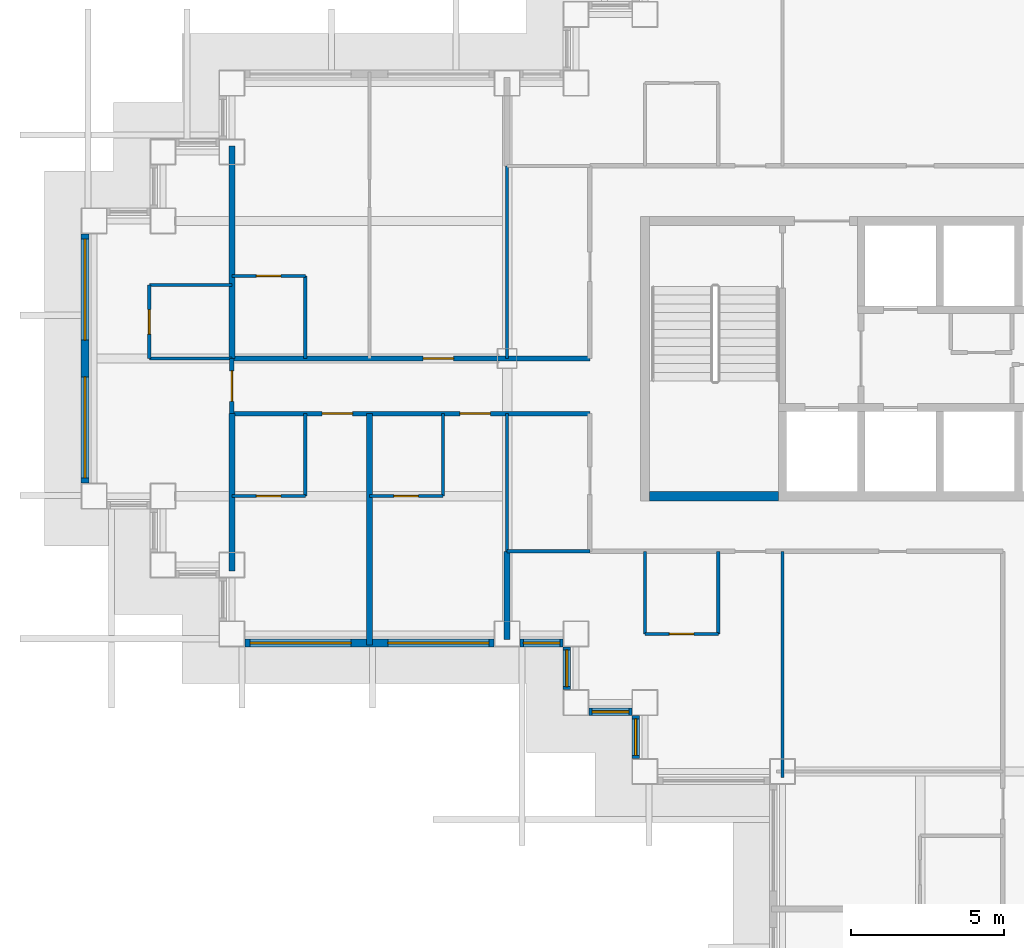
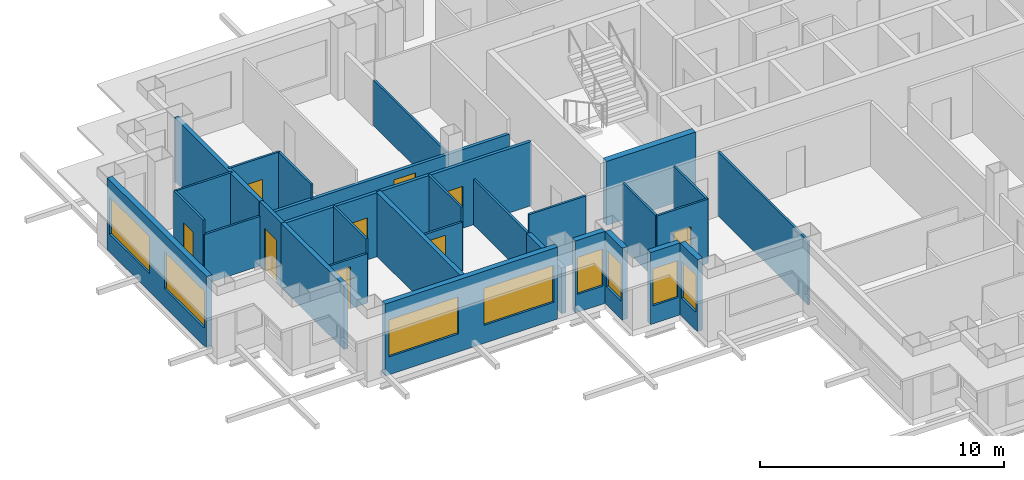
# One storey, part 5 of 17: 30 walls, 9 doors, 8 windows, 17 openings.
"""IFC4 building model written with IfcOpenShell, lengths in metres."""

from ifc_helpers import new_model, si_unit, direction, frame, frame_2d, origin, place, context, subcontext, project, spatial, rectangle, extrude, material, layer, layer_set, type_object, element, fill, save


model = new_model("IFC4")

# Units and contexts
model_context = context("Model", 3, precision=1e-05, world=origin(), true_north=direction((0.0, 1.0)))
body_context = subcontext(model_context, "Body", "Model", "MODEL_VIEW")
ifc_project = project(units=[si_unit("LENGTHUNIT", "METRE"), si_unit("AREAUNIT", "SQUARE_METRE"), si_unit("VOLUMEUNIT", "CUBIC_METRE"), si_unit("PLANEANGLEUNIT", "RADIAN"), si_unit("MASSUNIT", "GRAM", prefix="KILO")], contexts=[model_context])

# Site, building, storey
site_placement = place(None, origin())
site = spatial("IfcSite", under=ifc_project, at=site_placement, CompositionType="ELEMENT")
building_placement = place(site_placement, origin())
building = spatial("IfcBuilding", under=site, at=building_placement, Name="Caravel Reach Hotel and Residences", CompositionType="ELEMENT")
storey_placement = place(building_placement, frame((0.0, 0.0, 136.800048828125)))
storey = spatial("IfcBuildingStorey", under=building, at=storey_placement, Name="L34", CompositionType="ELEMENT", Elevation=136.800048828125)

# Wall, opening, door
ifc_material_1 = material(Name="Gypsum board on steel stud", Category="steel")
ifc_layer_1 = layer(ifc_material_1, 0.10009765625)
ifc_layer_set_1 = layer_set([ifc_layer_1], Name="Bathroom pod wall 100 mm")
wall_type_1 = type_object("IfcWallType", Name="Bathroom pod wall 100 mm", PredefinedType="PARTITIONING", material=ifc_layer_set_1)
wall_1_placement = place(storey_placement, frame((18.0, 18.0, 0.0), z_axis=(0.0, 0.0, 1.0), x_axis=(1.0, 0.0, 0.0)))
wall_1 = element("IfcWall", 1, at=wall_1_placement, inside=storey, type_object=wall_type_1, Name="L34 wall w083", PredefinedType="PARTITIONING", context=body_context, shape_type="SweptSolid", body=[
    extrude(rectangle(XDim=2.39990234375, YDim=0.10009765625, at=frame_2d((1.199951171875, 0.0))), origin(), (0.0, 0.0, 1.0), 3.199951171875),
])
opening_1_placement = place(wall_1_placement, frame((0.800048828125, 0.0, 0.0)))
opening_1 = element("IfcOpeningElement", 2, at=opening_1_placement, cuts=wall_1, Name="Opening D34-053", PredefinedType="OPENING", context=body_context, shape_type="SweptSolid", body=[
    extrude(rectangle(XDim=0.800048828125, YDim=2.10009765625, at=frame_2d((0.39990234375, 1.050048828125))), frame((0.0, 0.06005859375, 0.0), z_axis=(0.0, -1.0, 0.0), x_axis=(1.0, 0.0, 0.0)), (0.0, 0.0, 1.0), 0.1201171875),
])
ifc_material_2 = material(Name="Timber and steel door leaf", Category="steel")
door_type_1 = type_object("IfcDoorType", Name="Bathroom door 800 x 2100", OperationType="SINGLE_SWING_LEFT", PredefinedType="DOOR", material=ifc_material_2)
door_1_placement = place(opening_1_placement, origin())
door_1 = element("IfcDoor", 3, at=door_1_placement, inside=storey, type_object=door_type_1, Name="door D34-053", OperationType="SINGLE_SWING_RIGHT", OverallHeight=2.10009765625, OverallWidth=0.800048828125, PredefinedType="DOOR", context=body_context, shape_type="SweptSolid", body=[
    extrude(rectangle(XDim=0.800048828125, YDim=2.10009765625, at=frame_2d((0.39990234375, 1.050048828125))), frame((0.0, 0.02490234375, 0.0), z_axis=(0.0, -1.0, 0.0), x_axis=(1.0, 0.0, 0.0)), (0.0, 0.0, 1.0), 0.050048828125),
])
fill(opening_1, door_1)

wall_2_placement = place(storey_placement, frame((9.0, 22.5, 0.0), z_axis=(0.0, 0.0, 1.0), x_axis=(1.0, 0.0, 0.0)))
wall_2 = element("IfcWall", 4, at=wall_2_placement, inside=storey, type_object=wall_type_1, Name="L34 wall w085", PredefinedType="PARTITIONING", context=body_context, shape_type="SweptSolid", body=[
    extrude(rectangle(XDim=2.39990234375, YDim=0.10009765625, at=frame_2d((1.199951171875, 0.0))), origin(), (0.0, 0.0, 1.0), 2.47998046875),
])
opening_2_placement = place(wall_2_placement, frame((0.800048828125, 0.0, 0.0)))
opening_2 = element("IfcOpeningElement", 5, at=opening_2_placement, cuts=wall_2, Name="Opening D34-017", PredefinedType="OPENING", context=body_context, shape_type="SweptSolid", body=[
    extrude(rectangle(XDim=0.800048828125, YDim=2.10009765625, at=frame_2d((0.39990234375, 1.050048828125))), frame((0.0, 0.06005859375, 0.0), z_axis=(0.0, -1.0, 0.0), x_axis=(1.0, 0.0, 0.0)), (0.0, 0.0, 1.0), 0.1201171875),
])
door_2_placement = place(opening_2_placement, origin())
door_2 = element("IfcDoor", 6, at=door_2_placement, inside=storey, type_object=door_type_1, Name="door D34-017", OperationType="SINGLE_SWING_RIGHT", OverallHeight=2.10009765625, OverallWidth=0.800048828125, PredefinedType="DOOR", context=body_context, shape_type="SweptSolid", body=[
    extrude(rectangle(XDim=0.800048828125, YDim=2.10009765625, at=frame_2d((0.39990234375, 1.050048828125))), frame((0.0, 0.02490234375, 0.0), z_axis=(0.0, -1.0, 0.0), x_axis=(1.0, 0.0, 0.0)), (0.0, 0.0, 1.0), 0.050048828125),
])
fill(opening_2, door_2)

wall_3_placement = place(storey_placement, frame((4.5, 22.5, 0.0), z_axis=(0.0, 0.0, 1.0), x_axis=(1.0, 0.0, 0.0)))
wall_3 = element("IfcWall", 7, at=wall_3_placement, inside=storey, type_object=wall_type_1, Name="L34 wall w086", PredefinedType="PARTITIONING", context=body_context, shape_type="SweptSolid", body=[
    extrude(rectangle(XDim=2.39990234375, YDim=0.10009765625, at=frame_2d((1.199951171875, 0.0))), origin(), (0.0, 0.0, 1.0), 2.47998046875),
])
opening_3_placement = place(wall_3_placement, frame((0.800048828125, 0.0, 0.0)))
opening_3 = element("IfcOpeningElement", 8, at=opening_3_placement, cuts=wall_3, Name="Opening D34-019", PredefinedType="OPENING", context=body_context, shape_type="SweptSolid", body=[
    extrude(rectangle(XDim=0.800048828125, YDim=2.10009765625, at=frame_2d((0.39990234375, 1.050048828125))), frame((0.0, 0.06005859375, 0.0), z_axis=(0.0, -1.0, 0.0), x_axis=(1.0, 0.0, 0.0)), (0.0, 0.0, 1.0), 0.1201171875),
])
door_3_placement = place(opening_3_placement, origin())
door_3 = element("IfcDoor", 9, at=door_3_placement, inside=storey, type_object=door_type_1, Name="door D34-019", OperationType="SINGLE_SWING_LEFT", OverallHeight=2.10009765625, OverallWidth=0.800048828125, PredefinedType="DOOR", context=body_context, shape_type="SweptSolid", body=[
    extrude(rectangle(XDim=0.800048828125, YDim=2.10009765625, at=frame_2d((0.39990234375, 1.050048828125))), frame((0.0, 0.02490234375, 0.0), z_axis=(0.0, -1.0, 0.0), x_axis=(1.0, 0.0, 0.0)), (0.0, 0.0, 1.0), 0.050048828125),
])
fill(opening_3, door_3)

# Walls
wall_4_placement = place(storey_placement, frame((1.800048828125, 27.0, 0.0), z_axis=(0.0, 0.0, 1.0), x_axis=(1.0, 0.0, 0.0)))
element("IfcWall", 10, at=wall_4_placement, inside=storey, type_object=wall_type_1, Name="L34 wall w088", PredefinedType="PARTITIONING", context=body_context, shape_type="SweptSolid", body=[
    extrude(rectangle(XDim=2.699951171875, YDim=0.10009765625, at=frame_2d((1.35009765625, 0.0))), origin(), (0.0, 0.0, 1.0), 2.47998046875),
])
wall_5_placement = place(storey_placement, frame((1.800048828125, 29.39990234375, 0.0), z_axis=(0.0, 0.0, 1.0), x_axis=(1.0, 0.0, 0.0)))
element("IfcWall", 11, at=wall_5_placement, inside=storey, type_object=wall_type_1, Name="L34 wall w089", PredefinedType="PARTITIONING", context=body_context, shape_type="SweptSolid", body=[
    extrude(rectangle(XDim=2.699951171875, YDim=0.10009765625, at=frame_2d((1.35009765625, 0.0))), origin(), (0.0, 0.0, 1.0), 3.199951171875),
])

# Wall, opening, door
wall_6_placement = place(storey_placement, frame((4.5, 29.699951171875, 0.0), z_axis=(0.0, 0.0, 1.0), x_axis=(1.0, 0.0, 0.0)))
wall_6 = element("IfcWall", 12, at=wall_6_placement, inside=storey, type_object=wall_type_1, Name="L34 wall w090", PredefinedType="PARTITIONING", context=body_context, shape_type="SweptSolid", body=[
    extrude(rectangle(XDim=2.39990234375, YDim=0.10009765625, at=frame_2d((1.199951171875, 0.0))), origin(), (0.0, 0.0, 1.0), 3.199951171875),
])
opening_4_placement = place(wall_6_placement, frame((0.800048828125, 0.0, 0.0)))
opening_4 = element("IfcOpeningElement", 13, at=opening_4_placement, cuts=wall_6, Name="Opening D34-022", PredefinedType="OPENING", context=body_context, shape_type="SweptSolid", body=[
    extrude(rectangle(XDim=0.800048828125, YDim=2.10009765625, at=frame_2d((0.39990234375, 1.050048828125))), frame((0.0, 0.06005859375, 0.0), z_axis=(0.0, -1.0, 0.0), x_axis=(1.0, 0.0, 0.0)), (0.0, 0.0, 1.0), 0.1201171875),
])
door_4_placement = place(opening_4_placement, origin())
door_4 = element("IfcDoor", 14, at=door_4_placement, inside=storey, type_object=door_type_1, Name="door D34-022", OperationType="SINGLE_SWING_RIGHT", OverallHeight=2.10009765625, OverallWidth=0.800048828125, PredefinedType="DOOR", context=body_context, shape_type="SweptSolid", body=[
    extrude(rectangle(XDim=0.800048828125, YDim=2.10009765625, at=frame_2d((0.39990234375, 1.050048828125))), frame((0.0, 0.02490234375, 0.0), z_axis=(0.0, -1.0, 0.0), x_axis=(1.0, 0.0, 0.0)), (0.0, 0.0, 1.0), 0.050048828125),
])
fill(opening_4, door_4)

wall_7_placement = place(storey_placement, frame((1.800048828125, 27.0, 0.0), z_axis=(0.0, 0.0, 1.0), x_axis=(0.0, 1.0, 0.0)))
wall_7 = element("IfcWall", 15, at=wall_7_placement, inside=storey, type_object=wall_type_1, Name="L34 wall w100", PredefinedType="PARTITIONING", context=body_context, shape_type="SweptSolid", body=[
    extrude(rectangle(XDim=2.39990234375, YDim=0.10009765625, at=frame_2d((1.199951171875, 0.0))), origin(), (0.0, 0.0, 1.0), 3.199951171875),
])
opening_5_placement = place(wall_7_placement, frame((0.800048828125, 0.0, 0.0)))
opening_5 = element("IfcOpeningElement", 16, at=opening_5_placement, cuts=wall_7, Name="Opening D34-043", PredefinedType="OPENING", context=body_context, shape_type="SweptSolid", body=[
    extrude(rectangle(XDim=0.800048828125, YDim=2.10009765625, at=frame_2d((0.39990234375, 1.050048828125))), frame((0.0, 0.06005859375, 0.0), z_axis=(0.0, -1.0, 0.0), x_axis=(1.0, 0.0, 0.0)), (0.0, 0.0, 1.0), 0.1201171875),
])
door_5_placement = place(opening_5_placement, origin())
door_5 = element("IfcDoor", 17, at=door_5_placement, inside=storey, type_object=door_type_1, Name="door D34-043", OperationType="SINGLE_SWING_LEFT", OverallHeight=2.10009765625, OverallWidth=0.800048828125, PredefinedType="DOOR", context=body_context, shape_type="SweptSolid", body=[
    extrude(rectangle(XDim=0.800048828125, YDim=2.10009765625, at=frame_2d((0.39990234375, 1.050048828125))), frame((0.0, 0.02490234375, 0.0), z_axis=(0.0, -1.0, 0.0), x_axis=(1.0, 0.0, 0.0)), (0.0, 0.0, 1.0), 0.050048828125),
])
fill(opening_5, door_5)

# Walls
for number, where, z_axis, x_axis, name in (
    (18, (11.39990234375, 22.5, 0.0), (0.0, 0.0, 1.0), (0.0, 1.0, 0.0), "L34 wall w101"),
    (19, (18.0, 18.0, 0.0), (0.0, 0.0, 1.0), (0.0, 1.0, 0.0), "L34 wall w103"),
    (20, (20.39990234375, 18.0, 0.0), (0.0, 0.0, 1.0), (0.0, 1.0, 0.0), "L34 wall w105"),
    (21, (6.89990234375, 22.5, 0.0), (0.0, 0.0, 1.0), (0.0, 1.0, 0.0), "L34 wall w119"),
    (22, (6.89990234375, 27.0, 0.0), (0.0, 0.0, 1.0), (0.0, 1.0, 0.0), "L34 wall w120"),
):
    element("IfcWall", number, at=place(storey_placement, frame(where, z_axis=z_axis, x_axis=x_axis)), inside=storey, type_object=wall_type_1, Name=name, PredefinedType="PARTITIONING", context=body_context, shape_type="SweptSolid", body=[
        extrude(rectangle(XDim=2.699951171875, YDim=0.10009765625, at=frame_2d((1.35009765625, 0.0))), origin(), (0.0, 0.0, 1.0), 3.199951171875),
    ])
ifc_material_3 = material(Name="Concrete C60", Category="concrete")
ifc_layer_2 = layer(ifc_material_3, 0.300048828125)
ifc_layer_set_2 = layer_set([ifc_layer_2], Name="Core wall 300 mm EI 120")
wall_type_2 = type_object("IfcWallType", Name="Core wall 300 mm EI 120", PredefinedType="SHEAR", material=ifc_layer_set_2)
wall_8_placement = place(storey_placement, frame((18.14990234375, 22.5, 0.0), z_axis=(0.0, 0.0, 1.0), x_axis=(1.0, 0.0, 0.0)))
element("IfcWall", 23, at=wall_8_placement, inside=storey, type_object=wall_type_2, Name="L34 core wall S1", PredefinedType="SHEAR", context=body_context, shape_type="SweptSolid", body=[
    extrude(rectangle(XDim=4.22509765625, YDim=0.300048828125, at=frame_2d((2.112548828125, 0.0))), origin(), (0.0, 0.0, 1.0), 3.199951171875),
])

# Wall, openings, doors
ifc_material_4 = material(Name="Gypsum board on steel stud, fire-rated", Category="steel")
ifc_layer_3 = layer(ifc_material_4, 0.14990234375)
ifc_layer_set_3 = layer_set([ifc_layer_3], Name="Corridor wall 150 mm EI 60")
wall_type_3 = type_object("IfcWallType", Name="Corridor wall 150 mm EI 60", PredefinedType="PARTITIONING", material=ifc_layer_set_3)
wall_9_placement = place(storey_placement, frame((4.5, 25.199951171875, 0.0), z_axis=(0.0, 0.0, 1.0), x_axis=(1.0, 0.0, 0.0)))
wall_9 = element("IfcWall", 24, at=wall_9_placement, inside=storey, type_object=wall_type_3, Name="L34 wall w008", PredefinedType="PARTITIONING", context=body_context, shape_type="SweptSolid", body=[
    extrude(rectangle(XDim=11.699951171875, YDim=0.14990234375, at=frame_2d((5.85009765625, 0.0))), origin(), (0.0, 0.0, 1.0), 3.199951171875),
])
opening_6_placement = place(wall_9_placement, frame((7.449951171875, 0.0, 0.0)))
opening_6 = element("IfcOpeningElement", 25, at=opening_6_placement, cuts=wall_9, Name="Opening D34-016", PredefinedType="OPENING", context=body_context, shape_type="SweptSolid", body=[
    extrude(rectangle(XDim=1.0, YDim=2.10009765625, at=frame_2d((0.5, 1.050048828125))), frame((0.0, 0.0849609375, 0.0), z_axis=(0.0, -1.0, 0.0), x_axis=(1.0, 0.0, 0.0)), (0.0, 0.0, 1.0), 0.169921875),
])
opening_7_placement = place(wall_9_placement, frame((2.949951171875, 0.0, 0.0)))
opening_7 = element("IfcOpeningElement", 26, at=opening_7_placement, cuts=wall_9, Name="Opening D34-018", PredefinedType="OPENING", context=body_context, shape_type="SweptSolid", body=[
    extrude(rectangle(XDim=1.0, YDim=2.10009765625, at=frame_2d((0.5, 1.050048828125))), frame((0.0, 0.0849609375, 0.0), z_axis=(0.0, -1.0, 0.0), x_axis=(1.0, 0.0, 0.0)), (0.0, 0.0, 1.0), 0.169921875),
])
ifc_material_5 = material(Name="Steel fire door leaf", Category="steel")
door_type_2 = type_object("IfcDoorType", Name="Guest room door 1000 x 2100 EI 30", OperationType="SINGLE_SWING_LEFT", PredefinedType="DOOR", material=ifc_material_5)
door_6_placement = place(opening_6_placement, origin())
door_6 = element("IfcDoor", 27, at=door_6_placement, inside=storey, type_object=door_type_2, Name="door D34-016", OperationType="SINGLE_SWING_RIGHT", OverallHeight=2.10009765625, OverallWidth=1.0, PredefinedType="DOOR", context=body_context, shape_type="SweptSolid", body=[
    extrude(rectangle(XDim=1.0, YDim=2.10009765625, at=frame_2d((0.5, 1.050048828125))), frame((0.0, 0.02490234375, 0.0), z_axis=(0.0, -1.0, 0.0), x_axis=(1.0, 0.0, 0.0)), (0.0, 0.0, 1.0), 0.050048828125),
])
fill(opening_6, door_6)
door_7_placement = place(opening_7_placement, origin())
door_7 = element("IfcDoor", 28, at=door_7_placement, inside=storey, type_object=door_type_2, Name="door D34-018", OperationType="SINGLE_SWING_RIGHT", OverallHeight=2.10009765625, OverallWidth=1.0, PredefinedType="DOOR", context=body_context, shape_type="SweptSolid", body=[
    extrude(rectangle(XDim=1.0, YDim=2.10009765625, at=frame_2d((0.5, 1.050048828125))), frame((0.0, 0.02490234375, 0.0), z_axis=(0.0, -1.0, 0.0), x_axis=(1.0, 0.0, 0.0)), (0.0, 0.0, 1.0), 0.050048828125),
])
fill(opening_7, door_7)

# Wall, opening, door
wall_10_placement = place(storey_placement, frame((4.5, 27.0, 0.0), z_axis=(0.0, 0.0, 1.0), x_axis=(1.0, 0.0, 0.0)))
wall_10 = element("IfcWall", 29, at=wall_10_placement, inside=storey, type_object=wall_type_3, Name="L34 wall w013", PredefinedType="PARTITIONING", context=body_context, shape_type="SweptSolid", body=[
    extrude(rectangle(XDim=11.699951171875, YDim=0.14990234375, at=frame_2d((5.85009765625, 0.0))), origin(), (0.0, 0.0, 1.0), 2.47998046875),
])
opening_8_placement = place(wall_10_placement, frame((6.25, 0.0, 0.0)))
opening_8 = element("IfcOpeningElement", 30, at=opening_8_placement, cuts=wall_10, Name="Opening D34-020", PredefinedType="OPENING", context=body_context, shape_type="SweptSolid", body=[
    extrude(rectangle(XDim=1.0, YDim=2.10009765625, at=frame_2d((0.5, 1.050048828125))), frame((0.0, 0.0849609375, 0.0), z_axis=(0.0, -1.0, 0.0), x_axis=(1.0, 0.0, 0.0)), (0.0, 0.0, 1.0), 0.169921875),
])
door_8_placement = place(opening_8_placement, origin())
door_8 = element("IfcDoor", 31, at=door_8_placement, inside=storey, type_object=door_type_2, Name="door D34-020", OperationType="SINGLE_SWING_RIGHT", OverallHeight=2.10009765625, OverallWidth=1.0, PredefinedType="DOOR", context=body_context, shape_type="SweptSolid", body=[
    extrude(rectangle(XDim=1.0, YDim=2.10009765625, at=frame_2d((0.5, 1.050048828125))), frame((0.0, 0.02490234375, 0.0), z_axis=(0.0, -1.0, 0.0), x_axis=(1.0, 0.0, 0.0)), (0.0, 0.0, 1.0), 0.050048828125),
])
fill(opening_8, door_8)

wall_11_placement = place(storey_placement, frame((4.5, 25.199951171875, 0.0), z_axis=(0.0, 0.0, 1.0), x_axis=(0.0, 1.0, 0.0)))
wall_11 = element("IfcWall", 32, at=wall_11_placement, inside=storey, type_object=wall_type_3, Name="L34 wall w038", PredefinedType="PARTITIONING", context=body_context, shape_type="SweptSolid", body=[
    extrude(rectangle(XDim=1.800048828125, YDim=0.14990234375, at=frame_2d((0.89990234375, 0.0))), origin(), (0.0, 0.0, 1.0), 3.199951171875),
])
opening_9_placement = place(wall_11_placement, frame((0.39990234375, 0.0, 0.0)))
opening_9 = element("IfcOpeningElement", 33, at=opening_9_placement, cuts=wall_11, Name="Opening D34-042", PredefinedType="OPENING", context=body_context, shape_type="SweptSolid", body=[
    extrude(rectangle(XDim=1.0, YDim=2.10009765625, at=frame_2d((0.5, 1.050048828125))), frame((0.0, 0.0849609375, 0.0), z_axis=(0.0, -1.0, 0.0), x_axis=(1.0, 0.0, 0.0)), (0.0, 0.0, 1.0), 0.169921875),
])
door_9_placement = place(opening_9_placement, origin())
door_9 = element("IfcDoor", 34, at=door_9_placement, inside=storey, type_object=door_type_2, Name="door D34-042", OperationType="SINGLE_SWING_RIGHT", OverallHeight=2.10009765625, OverallWidth=1.0, PredefinedType="DOOR", context=body_context, shape_type="SweptSolid", body=[
    extrude(rectangle(XDim=1.0, YDim=2.10009765625, at=frame_2d((0.5, 1.050048828125))), frame((0.0, 0.02490234375, 0.0), z_axis=(0.0, -1.0, 0.0), x_axis=(1.0, 0.0, 0.0)), (0.0, 0.0, 1.0), 0.050048828125),
])
fill(opening_9, door_9)

# Wall, openings, windows
ifc_material_6 = material(Name="Insulated rainscreen wall, aluminium cladding", Category="aluminium")
ifc_layer_4 = layer(ifc_material_6, 0.25)
ifc_layer_set_4 = layer_set([ifc_layer_4], Name="EW1 Tower rainscreen wall")
wall_type_4 = type_object("IfcWallType", Name="EW1 Tower rainscreen wall", PredefinedType="SOLIDWALL", material=ifc_layer_set_4)
wall_12_placement = place(storey_placement, frame((-0.300048828125, 31.074951171875, 0.0), z_axis=(0.0, 0.0, 1.0), x_axis=(0.0, -1.0, 0.0)))
wall_12 = element("IfcWall", 35, at=wall_12_placement, inside=storey, type_object=wall_type_4, Name="External wall L34 W50.1", PredefinedType="SOLIDWALL", context=body_context, shape_type="SweptSolid", body=[
    extrude(rectangle(XDim=8.14990234375, YDim=0.25, at=frame_2d((4.074951171875, 0.0))), origin(), (0.0, 0.0, 1.0), 3.599853515625),
])
opening_10_placement = place(wall_12_placement, frame((0.175048828125, 0.0, 0.89990234375)))
opening_10 = element("IfcOpeningElement", 36, at=opening_10_placement, cuts=wall_12, Name="Opening WN7", PredefinedType="OPENING", context=body_context, shape_type="SweptSolid", body=[
    extrude(rectangle(XDim=3.300048828125, YDim=1.85009765625, at=frame_2d((1.64990234375, 0.925048828125))), frame((0.0, 0.135009765625, 0.0), z_axis=(0.0, -1.0, 0.0), x_axis=(1.0, 0.0, 0.0)), (0.0, 0.0, 1.0), 0.27001953125),
])
opening_11_placement = place(wall_12_placement, frame((4.675048828125, 0.0, 0.89990234375)))
opening_11 = element("IfcOpeningElement", 37, at=opening_11_placement, cuts=wall_12, Name="Opening WN7", PredefinedType="OPENING", context=body_context, shape_type="SweptSolid", body=[
    extrude(rectangle(XDim=3.300048828125, YDim=1.85009765625, at=frame_2d((1.64990234375, 0.925048828125))), frame((0.0, 0.135009765625, 0.0), z_axis=(0.0, -1.0, 0.0), x_axis=(1.0, 0.0, 0.0)), (0.0, 0.0, 1.0), 0.27001953125),
])
ifc_material_7 = material(Name="Dark low-e glazing in black aluminium frame", Category="aluminium")
window_type_1 = type_object("IfcWindowType", Name="Hotel guest room window 3300 x 1850", PartitioningType="SINGLE_PANEL", PredefinedType="WINDOW", material=ifc_material_7)
window_1_placement = place(opening_10_placement, origin())
window_1 = element("IfcWindow", 38, at=window_1_placement, inside=storey, type_object=window_type_1, Name="Window L34 W50.1.1", OverallHeight=1.85009765625, OverallWidth=3.300048828125, PartitioningType="SINGLE_PANEL", PredefinedType="WINDOW", context=body_context, shape_type="SweptSolid", body=[
    extrude(rectangle(XDim=3.300048828125, YDim=1.85009765625, at=frame_2d((1.64990234375, 0.925048828125))), frame((0.0, 0.030029296875, 0.0), z_axis=(0.0, -1.0, 0.0), x_axis=(1.0, 0.0, 0.0)), (0.0, 0.0, 1.0), 0.06005859375),
])
fill(opening_10, window_1)
window_2_placement = place(opening_11_placement, origin())
window_2 = element("IfcWindow", 39, at=window_2_placement, inside=storey, type_object=window_type_1, Name="Window L34 W50.1.2", OverallHeight=1.85009765625, OverallWidth=3.300048828125, PartitioningType="SINGLE_PANEL", PredefinedType="WINDOW", context=body_context, shape_type="SweptSolid", body=[
    extrude(rectangle(XDim=3.300048828125, YDim=1.85009765625, at=frame_2d((1.64990234375, 0.925048828125))), frame((0.0, 0.030029296875, 0.0), z_axis=(0.0, -1.0, 0.0), x_axis=(1.0, 0.0, 0.0)), (0.0, 0.0, 1.0), 0.06005859375),
])
fill(opening_11, window_2)

wall_13_placement = place(storey_placement, frame((4.925048828125, 17.699951171875, 0.0), z_axis=(0.0, 0.0, 1.0), x_axis=(1.0, 0.0, 0.0)))
wall_13 = element("IfcWall", 40, at=wall_13_placement, inside=storey, type_object=wall_type_4, Name="External wall L34 S55.1", PredefinedType="SOLIDWALL", context=body_context, shape_type="SweptSolid", body=[
    extrude(rectangle(XDim=8.14990234375, YDim=0.25, at=frame_2d((4.074951171875, 0.0))), origin(), (0.0, 0.0, 1.0), 3.599853515625),
])
opening_12_placement = place(wall_13_placement, frame((0.175048828125, 0.0, 0.89990234375)))
opening_12 = element("IfcOpeningElement", 41, at=opening_12_placement, cuts=wall_13, Name="Opening WN7", PredefinedType="OPENING", context=body_context, shape_type="SweptSolid", body=[
    extrude(rectangle(XDim=3.300048828125, YDim=1.85009765625, at=frame_2d((1.64990234375, 0.925048828125))), frame((0.0, 0.135009765625, 0.0), z_axis=(0.0, -1.0, 0.0), x_axis=(1.0, 0.0, 0.0)), (0.0, 0.0, 1.0), 0.27001953125),
])
opening_13_placement = place(wall_13_placement, frame((4.675048828125, 0.0, 0.89990234375)))
opening_13 = element("IfcOpeningElement", 42, at=opening_13_placement, cuts=wall_13, Name="Opening WN7", PredefinedType="OPENING", context=body_context, shape_type="SweptSolid", body=[
    extrude(rectangle(XDim=3.300048828125, YDim=1.85009765625, at=frame_2d((1.64990234375, 0.925048828125))), frame((0.0, 0.135009765625, 0.0), z_axis=(0.0, -1.0, 0.0), x_axis=(1.0, 0.0, 0.0)), (0.0, 0.0, 1.0), 0.27001953125),
])
window_3_placement = place(opening_12_placement, origin())
window_3 = element("IfcWindow", 43, at=window_3_placement, inside=storey, type_object=window_type_1, Name="Window L34 S55.1.1", OverallHeight=1.85009765625, OverallWidth=3.300048828125, PartitioningType="SINGLE_PANEL", PredefinedType="WINDOW", context=body_context, shape_type="SweptSolid", body=[
    extrude(rectangle(XDim=3.300048828125, YDim=1.85009765625, at=frame_2d((1.64990234375, 0.925048828125))), frame((0.0, 0.030029296875, 0.0), z_axis=(0.0, -1.0, 0.0), x_axis=(1.0, 0.0, 0.0)), (0.0, 0.0, 1.0), 0.06005859375),
])
fill(opening_12, window_3)
window_4_placement = place(opening_13_placement, origin())
window_4 = element("IfcWindow", 44, at=window_4_placement, inside=storey, type_object=window_type_1, Name="Window L34 S55.1.2", OverallHeight=1.85009765625, OverallWidth=3.300048828125, PartitioningType="SINGLE_PANEL", PredefinedType="WINDOW", context=body_context, shape_type="SweptSolid", body=[
    extrude(rectangle(XDim=3.300048828125, YDim=1.85009765625, at=frame_2d((1.64990234375, 0.925048828125))), frame((0.0, 0.030029296875, 0.0), z_axis=(0.0, -1.0, 0.0), x_axis=(1.0, 0.0, 0.0)), (0.0, 0.0, 1.0), 0.06005859375),
])
fill(opening_13, window_4)

# Wall, opening, window
wall_14_placement = place(storey_placement, frame((13.925048828125, 17.699951171875, 0.0), z_axis=(0.0, 0.0, 1.0), x_axis=(1.0, 0.0, 0.0)))
wall_14 = element("IfcWall", 45, at=wall_14_placement, inside=storey, type_object=wall_type_4, Name="External wall L34 S55.2", PredefinedType="SOLIDWALL", context=body_context, shape_type="SweptSolid", body=[
    extrude(rectangle(XDim=1.39990234375, YDim=0.25, at=frame_2d((0.699951171875, 0.0))), origin(), (0.0, 0.0, 1.0), 3.599853515625),
])
opening_14_placement = place(wall_14_placement, frame((0.10009765625, 0.0, 0.89990234375)))
opening_14 = element("IfcOpeningElement", 46, at=opening_14_placement, cuts=wall_14, Name="Opening WN10", PredefinedType="OPENING", context=body_context, shape_type="SweptSolid", body=[
    extrude(rectangle(XDim=1.199951171875, YDim=1.85009765625, at=frame_2d((0.60009765625, 0.925048828125))), frame((0.0, 0.135009765625, 0.0), z_axis=(0.0, -1.0, 0.0), x_axis=(1.0, 0.0, 0.0)), (0.0, 0.0, 1.0), 0.27001953125),
])
ifc_material_8 = material(Name="Dark low-e glazing in black aluminium frame", Category="aluminium")
window_type_2 = type_object("IfcWindowType", Name="Hotel suite corner window 1200 x 1850", PartitioningType="SINGLE_PANEL", PredefinedType="WINDOW", material=ifc_material_8)
window_5_placement = place(opening_14_placement, origin())
window_5 = element("IfcWindow", 47, at=window_5_placement, inside=storey, type_object=window_type_2, Name="Window L34 S55.2.1", OverallHeight=1.85009765625, OverallWidth=1.199951171875, PartitioningType="SINGLE_PANEL", PredefinedType="WINDOW", context=body_context, shape_type="SweptSolid", body=[
    extrude(rectangle(XDim=1.199951171875, YDim=1.85009765625, at=frame_2d((0.60009765625, 0.925048828125))), frame((0.0, 0.030029296875, 0.0), z_axis=(0.0, -1.0, 0.0), x_axis=(1.0, 0.0, 0.0)), (0.0, 0.0, 1.0), 0.06005859375),
])
fill(opening_14, window_5)

wall_15_placement = place(storey_placement, frame((15.449951171875, 17.574951171875, 0.0), z_axis=(0.0, 0.0, 1.0), x_axis=(0.0, -1.0, 0.0)))
wall_15 = element("IfcWall", 48, at=wall_15_placement, inside=storey, type_object=wall_type_4, Name="External wall L34 W56.1", PredefinedType="SOLIDWALL", context=body_context, shape_type="SweptSolid", body=[
    extrude(rectangle(XDim=1.39990234375, YDim=0.25, at=frame_2d((0.699951171875, 0.0))), origin(), (0.0, 0.0, 1.0), 3.599853515625),
])
opening_15_placement = place(wall_15_placement, frame((0.10009765625, 0.0, 0.89990234375)))
opening_15 = element("IfcOpeningElement", 49, at=opening_15_placement, cuts=wall_15, Name="Opening WN10", PredefinedType="OPENING", context=body_context, shape_type="SweptSolid", body=[
    extrude(rectangle(XDim=1.199951171875, YDim=1.85009765625, at=frame_2d((0.60009765625, 0.925048828125))), frame((0.0, 0.135009765625, 0.0), z_axis=(0.0, -1.0, 0.0), x_axis=(1.0, 0.0, 0.0)), (0.0, 0.0, 1.0), 0.27001953125),
])
window_6_placement = place(opening_15_placement, origin())
window_6 = element("IfcWindow", 50, at=window_6_placement, inside=storey, type_object=window_type_2, Name="Window L34 W56.1.1", OverallHeight=1.85009765625, OverallWidth=1.199951171875, PartitioningType="SINGLE_PANEL", PredefinedType="WINDOW", context=body_context, shape_type="SweptSolid", body=[
    extrude(rectangle(XDim=1.199951171875, YDim=1.85009765625, at=frame_2d((0.60009765625, 0.925048828125))), frame((0.0, 0.030029296875, 0.0), z_axis=(0.0, -1.0, 0.0), x_axis=(1.0, 0.0, 0.0)), (0.0, 0.0, 1.0), 0.06005859375),
])
fill(opening_15, window_6)

wall_16_placement = place(storey_placement, frame((16.175048828125, 15.449951171875, 0.0), z_axis=(0.0, 0.0, 1.0), x_axis=(1.0, 0.0, 0.0)))
wall_16 = element("IfcWall", 51, at=wall_16_placement, inside=storey, type_object=wall_type_4, Name="External wall L34 S57.1", PredefinedType="SOLIDWALL", context=body_context, shape_type="SweptSolid", body=[
    extrude(rectangle(XDim=1.39990234375, YDim=0.25, at=frame_2d((0.699951171875, 0.0))), origin(), (0.0, 0.0, 1.0), 3.599853515625),
])
opening_16_placement = place(wall_16_placement, frame((0.10009765625, 0.0, 0.89990234375)))
opening_16 = element("IfcOpeningElement", 52, at=opening_16_placement, cuts=wall_16, Name="Opening WN10", PredefinedType="OPENING", context=body_context, shape_type="SweptSolid", body=[
    extrude(rectangle(XDim=1.199951171875, YDim=1.85009765625, at=frame_2d((0.60009765625, 0.925048828125))), frame((0.0, 0.135009765625, 0.0), z_axis=(0.0, -1.0, 0.0), x_axis=(1.0, 0.0, 0.0)), (0.0, 0.0, 1.0), 0.27001953125),
])
window_7_placement = place(opening_16_placement, origin())
window_7 = element("IfcWindow", 53, at=window_7_placement, inside=storey, type_object=window_type_2, Name="Window L34 S57.1.1", OverallHeight=1.85009765625, OverallWidth=1.199951171875, PartitioningType="SINGLE_PANEL", PredefinedType="WINDOW", context=body_context, shape_type="SweptSolid", body=[
    extrude(rectangle(XDim=1.199951171875, YDim=1.85009765625, at=frame_2d((0.60009765625, 0.925048828125))), frame((0.0, 0.030029296875, 0.0), z_axis=(0.0, -1.0, 0.0), x_axis=(1.0, 0.0, 0.0)), (0.0, 0.0, 1.0), 0.06005859375),
])
fill(opening_16, window_7)

wall_17_placement = place(storey_placement, frame((17.699951171875, 15.324951171875, 0.0), z_axis=(0.0, 0.0, 1.0), x_axis=(0.0, -1.0, 0.0)))
wall_17 = element("IfcWall", 54, at=wall_17_placement, inside=storey, type_object=wall_type_4, Name="External wall L34 W58.1", PredefinedType="SOLIDWALL", context=body_context, shape_type="SweptSolid", body=[
    extrude(rectangle(XDim=1.39990234375, YDim=0.25, at=frame_2d((0.699951171875, 0.0))), origin(), (0.0, 0.0, 1.0), 3.599853515625),
])
opening_17_placement = place(wall_17_placement, frame((0.10009765625, 0.0, 0.89990234375)))
opening_17 = element("IfcOpeningElement", 55, at=opening_17_placement, cuts=wall_17, Name="Opening WN10", PredefinedType="OPENING", context=body_context, shape_type="SweptSolid", body=[
    extrude(rectangle(XDim=1.199951171875, YDim=1.85009765625, at=frame_2d((0.60009765625, 0.925048828125))), frame((0.0, 0.135009765625, 0.0), z_axis=(0.0, -1.0, 0.0), x_axis=(1.0, 0.0, 0.0)), (0.0, 0.0, 1.0), 0.27001953125),
])
window_8_placement = place(opening_17_placement, origin())
window_8 = element("IfcWindow", 56, at=window_8_placement, inside=storey, type_object=window_type_2, Name="Window L34 W58.1.1", OverallHeight=1.85009765625, OverallWidth=1.199951171875, PartitioningType="SINGLE_PANEL", PredefinedType="WINDOW", context=body_context, shape_type="SweptSolid", body=[
    extrude(rectangle(XDim=1.199951171875, YDim=1.85009765625, at=frame_2d((0.60009765625, 0.925048828125))), frame((0.0, 0.030029296875, 0.0), z_axis=(0.0, -1.0, 0.0), x_axis=(1.0, 0.0, 0.0)), (0.0, 0.0, 1.0), 0.06005859375),
])
fill(opening_17, window_8)

# Walls
ifc_material_9 = material(Name="Gypsum board on steel stud", Category="steel")
ifc_layer_5 = layer(ifc_material_9, 0.10009765625)
ifc_layer_set_5 = layer_set([ifc_layer_5], Name="Partition 100 mm")
wall_type_5 = type_object("IfcWallType", Name="Partition 100 mm", PredefinedType="PARTITIONING", material=ifc_layer_set_5)
wall_18_placement = place(storey_placement, frame((13.5, 20.699951171875, 0.0), z_axis=(0.0, 0.0, 1.0), x_axis=(1.0, 0.0, 0.0)))
element("IfcWall", 57, at=wall_18_placement, inside=storey, type_object=wall_type_5, Name="L34 wall w045", PredefinedType="PARTITIONING", context=body_context, shape_type="SweptSolid", body=[
    extrude(rectangle(XDim=2.699951171875, YDim=0.10009765625, at=frame_2d((1.35009765625, 0.0))), origin(), (0.0, 0.0, 1.0), 3.199951171875),
])
wall_19_placement = place(storey_placement, frame((13.5, 20.699951171875, 0.0), z_axis=(0.0, 0.0, 1.0), x_axis=(0.0, 1.0, 0.0)))
element("IfcWall", 58, at=wall_19_placement, inside=storey, type_object=wall_type_5, Name="L34 wall w055", PredefinedType="PARTITIONING", context=body_context, shape_type="SweptSolid", body=[
    extrude(rectangle(XDim=4.5, YDim=0.10009765625, at=frame_2d((2.25, 0.0))), origin(), (0.0, 0.0, 1.0), 2.280029296875),
])
wall_20_placement = place(storey_placement, frame((13.5, 27.0, 0.0), z_axis=(0.0, 0.0, 1.0), x_axis=(0.0, 1.0, 0.0)))
element("IfcWall", 59, at=wall_20_placement, inside=storey, type_object=wall_type_5, Name="L34 wall w056", PredefinedType="PARTITIONING", context=body_context, shape_type="SweptSolid", body=[
    extrude(rectangle(XDim=6.300048828125, YDim=0.10009765625, at=frame_2d((3.14990234375, 0.0))), origin(), (0.0, 0.0, 1.0), 2.280029296875),
])
wall_21_placement = place(storey_placement, frame((22.5, 13.31005859375, 0.0), z_axis=(0.0, 0.0, 1.0), x_axis=(0.0, 1.0, 0.0)))
element("IfcWall", 60, at=wall_21_placement, inside=storey, type_object=wall_type_5, Name="L34 wall w058", PredefinedType="PARTITIONING", context=body_context, shape_type="SweptSolid", body=[
    extrude(rectangle(XDim=7.389892578125, YDim=0.10009765625, at=frame_2d((3.69482421875, 0.0))), origin(), (0.0, 0.0, 1.0), 3.199951171875),
])
ifc_material_10 = material(Name="Autoclaved aerated block wall")
ifc_layer_6 = layer(ifc_material_10, 0.199951171875)
ifc_layer_set_6 = layer_set([ifc_layer_6], Name="Party wall 200 mm EI 60")
wall_type_6 = type_object("IfcWallType", Name="Party wall 200 mm EI 60", PredefinedType="PARTITIONING", material=ifc_layer_set_6)
wall_22_placement = place(storey_placement, frame((13.5, 17.81005859375, 0.0), z_axis=(0.0, 0.0, 1.0), x_axis=(0.0, 1.0, 0.0)))
element("IfcWall", 61, at=wall_22_placement, inside=storey, type_object=wall_type_6, Name="L34 wall w075", PredefinedType="PARTITIONING", context=body_context, shape_type="SweptSolid", body=[
    extrude(rectangle(XDim=2.889892578125, YDim=0.199951171875, at=frame_2d((1.44482421875, 0.0))), origin(), (0.0, 0.0, 1.0), 2.280029296875),
])
wall_23_placement = place(storey_placement, frame((4.5, 20.06005859375, 0.0), z_axis=(0.0, 0.0, 1.0), x_axis=(0.0, 1.0, 0.0)))
element("IfcWall", 62, at=wall_23_placement, inside=storey, type_object=wall_type_6, Name="L34 wall w077", PredefinedType="PARTITIONING", context=body_context, shape_type="SweptSolid", body=[
    extrude(rectangle(XDim=5.139892578125, YDim=0.199951171875, at=frame_2d((2.56982421875, 0.0))), origin(), (0.0, 0.0, 1.0), 3.199951171875),
])
wall_24_placement = place(storey_placement, frame((4.5, 27.0, 0.0), z_axis=(0.0, 0.0, 1.0), x_axis=(0.0, 1.0, 0.0)))
element("IfcWall", 63, at=wall_24_placement, inside=storey, type_object=wall_type_6, Name="L34 wall w078", PredefinedType="PARTITIONING", context=body_context, shape_type="SweptSolid", body=[
    extrude(rectangle(XDim=6.93994140625, YDim=0.199951171875, at=frame_2d((3.469970703125, 0.0))), origin(), (0.0, 0.0, 1.0), 3.199951171875),
])
wall_25_placement = place(storey_placement, frame((9.0, 17.635009765625, 0.0), z_axis=(0.0, 0.0, 1.0), x_axis=(0.0, 1.0, 0.0)))
element("IfcWall", 64, at=wall_25_placement, inside=storey, type_object=wall_type_6, Name="L34 wall w080", PredefinedType="PARTITIONING", context=body_context, shape_type="SweptSolid", body=[
    extrude(rectangle(XDim=7.56494140625, YDim=0.199951171875, at=frame_2d((3.782470703125, 0.0))), origin(), (0.0, 0.0, 1.0), 3.199951171875),
])

save(model, "model.ifc")
